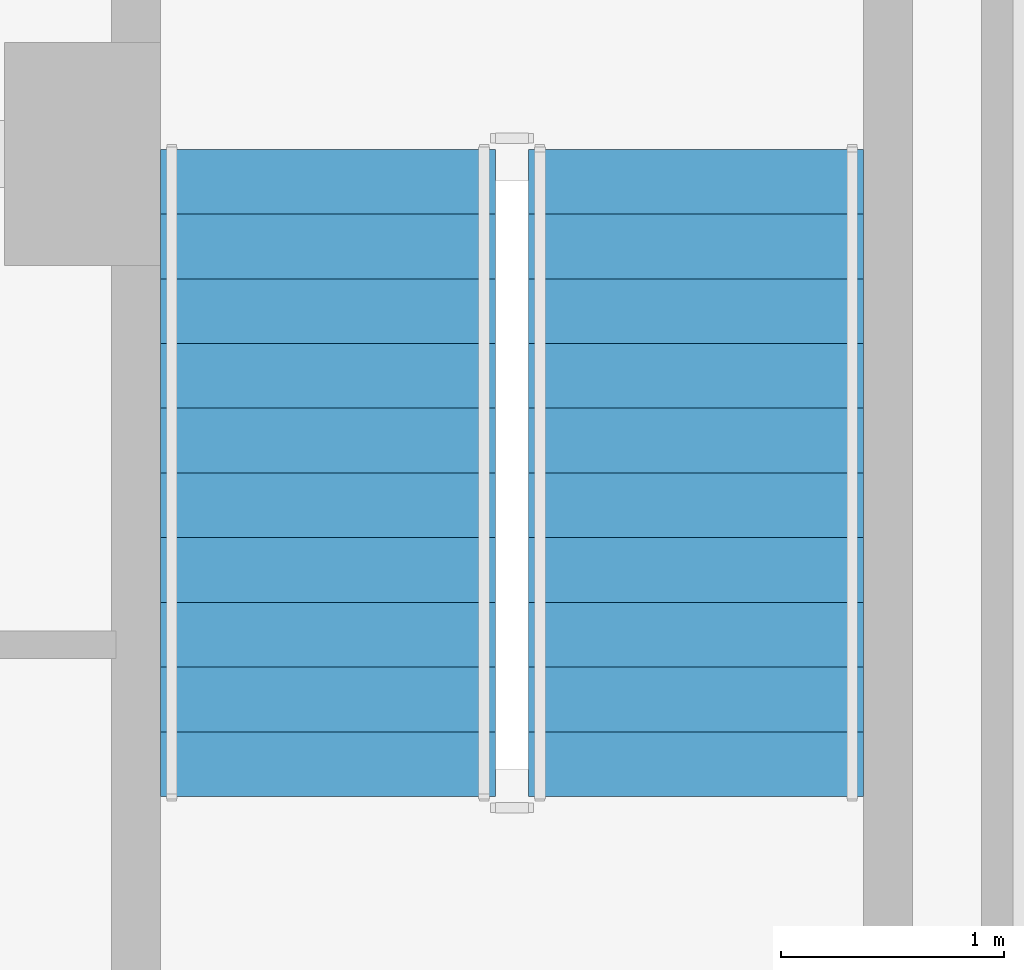
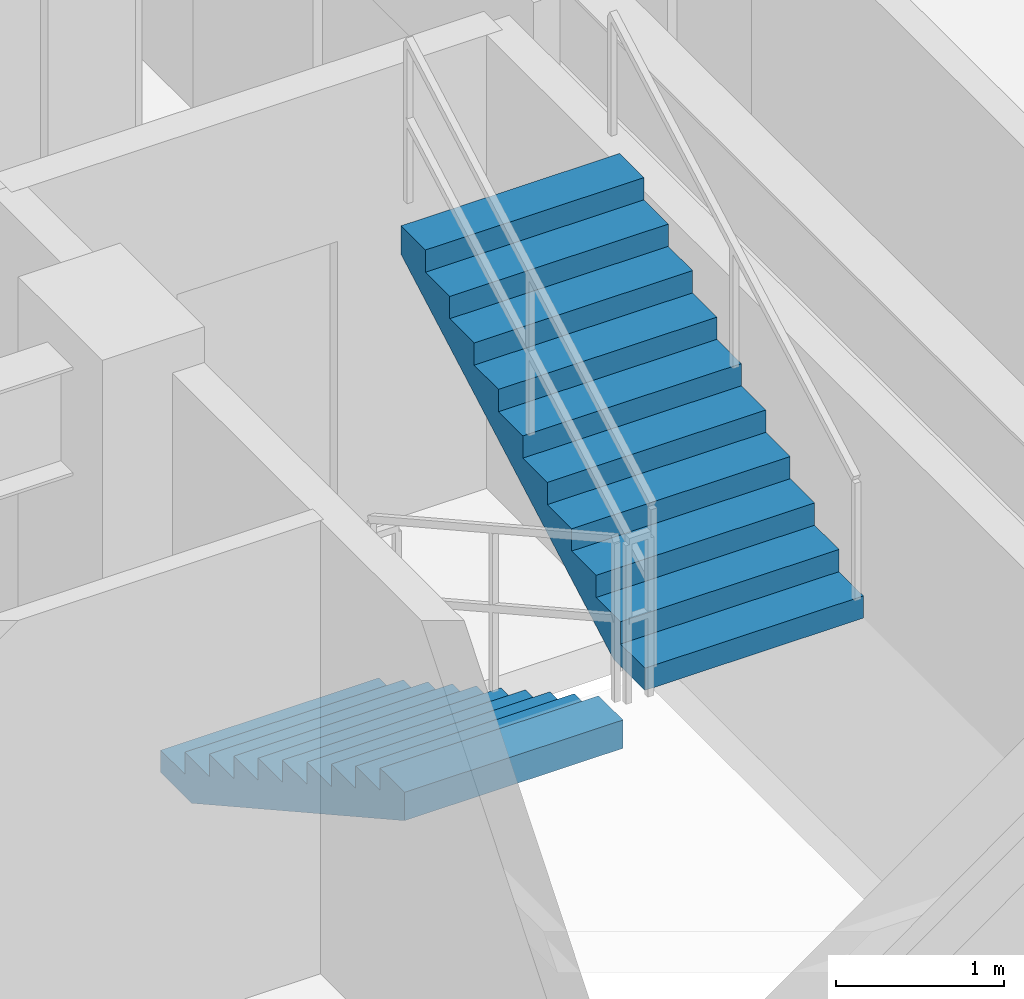
# One storey, part 29 of 32: 2 stair flights, 1 element without a shape of its own.
"""IFC4 building model written with IfcOpenShell, lengths in metres."""

from ifc_helpers import new_model, si_unit, direction, frame, origin, place, context, subcontext, project, spatial, polyline, outline, extrude, material, type_object, element, aggregate, save


model = new_model("IFC4")

# Units and contexts
model_context = context("Model", 3, precision=1e-05, world=origin(), true_north=direction((0.0, 1.0)))
body_context = subcontext(model_context, "Body", "Model", "MODEL_VIEW")
ifc_project = project(units=[si_unit("LENGTHUNIT", "METRE"), si_unit("AREAUNIT", "SQUARE_METRE"), si_unit("VOLUMEUNIT", "CUBIC_METRE"), si_unit("PLANEANGLEUNIT", "RADIAN"), si_unit("MASSUNIT", "GRAM", prefix="KILO")], contexts=[model_context])

# Site, building, storey
site_placement = place(None, origin())
site = spatial("IfcSite", under=ifc_project, at=site_placement, CompositionType="ELEMENT")
building_placement = place(site_placement, origin())
building = spatial("IfcBuilding", under=site, at=building_placement, Name="Vorneva Point Tower", CompositionType="ELEMENT")
storey_placement = place(building_placement, frame((0.0, 0.0, 269.75)))
storey = spatial("IfcBuildingStorey", under=building, at=storey_placement, Name="L73", CompositionType="ELEMENT", Elevation=269.75)

# Stair, stair flights
ifc_material = material(Name="Concrete B50 (C40/50)", Category="concrete")
stair_type = type_object("IfcStairType", Name="ST-DOG-1500", PredefinedType="HALF_TURN_STAIR", material=ifc_material)
stair_placement = place(storey_placement, origin())
stair = element("IfcStair", 1, at=stair_placement, inside=storey, type_object=stair_type, Name="L73 ST2", PredefinedType="HALF_TURN_STAIR")
stair_flight_type = type_object("IfcStairFlightType", Name="STF-1500", PredefinedType="STRAIGHT", material=ifc_material)
stair_flight_1_placement = place(storey_placement, frame((45.550048828125, 22.219970703125, 0.0), z_axis=(0.0, 0.0, 1.0), x_axis=(0.0, -1.0, 0.0)))
stair_flight_1 = element("IfcStairFlight", 2, at=stair_flight_1_placement, type_object=stair_flight_type, Name="ST2 flight 1", NumberOfRisers=11, NumberOfTreads=10, PredefinedType="STRAIGHT", RiserHeight=0.161363636, TreadLength=0.29, context=body_context, shape_type="SweptSolid", body=[
    extrude(outline(polyline([(0.0, 0.0), (0.0, 0.161376953125), (0.2900390625, 0.161376953125), (0.2900390625, 0.32275390625), (0.580078125, 0.32275390625), (0.580078125, 0.484130859375), (0.8701171875, 0.484130859375), (0.8701171875, 0.6455078125), (1.159912109375, 0.6455078125), (1.159912109375, 0.806884765625), (1.449951171875, 0.806884765625), (1.449951171875, 0.96826171875), (1.739990234375, 0.96826171875), (1.739990234375, 1.129638671875), (2.030029296875, 1.129638671875), (2.030029296875, 1.291015625), (2.320068359375, 1.291015625), (2.320068359375, 1.452392578125), (2.610107421875, 1.452392578125), (2.610107421875, 1.613525390625), (2.89990234375, 1.613525390625), (2.89990234375, 1.77490234375), (2.89990234375, 1.40771484375), (0.3701171875, 0.0), (0.0, 0.0)])), frame((0.0, 0.75, 0.0), z_axis=(0.0, -1.0, 0.0), x_axis=(1.0, 0.0, 0.0)), (0.0, 0.0, 1.0), 1.5),
])
stair_flight_2_placement = place(storey_placement, frame((47.199951171875, 19.320068359375, 1.77490234375), z_axis=(0.0, 0.0, 1.0), x_axis=(0.0, 1.0, 0.0)))
stair_flight_2 = element("IfcStairFlight", 3, at=stair_flight_2_placement, type_object=stair_flight_type, Name="ST2 flight 2", NumberOfRisers=11, NumberOfTreads=10, PredefinedType="STRAIGHT", RiserHeight=0.161363636, TreadLength=0.29, context=body_context, shape_type="SweptSolid", body=[
    extrude(outline(polyline([(0.0, 0.0), (0.0, 0.161376953125), (0.2900390625, 0.161376953125), (0.2900390625, 0.32275390625), (0.580078125, 0.32275390625), (0.580078125, 0.484130859375), (0.8701171875, 0.484130859375), (0.8701171875, 0.6455078125), (1.159912109375, 0.6455078125), (1.159912109375, 0.806884765625), (1.449951171875, 0.806884765625), (1.449951171875, 0.96826171875), (1.739990234375, 0.96826171875), (1.739990234375, 1.129638671875), (2.030029296875, 1.129638671875), (2.030029296875, 1.291015625), (2.320068359375, 1.291015625), (2.320068359375, 1.452392578125), (2.610107421875, 1.452392578125), (2.610107421875, 1.613525390625), (2.89990234375, 1.613525390625), (2.89990234375, 1.77490234375), (2.89990234375, 1.40771484375), (0.3701171875, 0.0), (0.0, 0.0)])), frame((0.0, 0.75, 0.0), z_axis=(0.0, -1.0, 0.0), x_axis=(1.0, 0.0, 0.0)), (0.0, 0.0, 1.0), 1.5),
])
aggregate(stair, [stair_flight_1, stair_flight_2])

save(model, "model.ifc")
